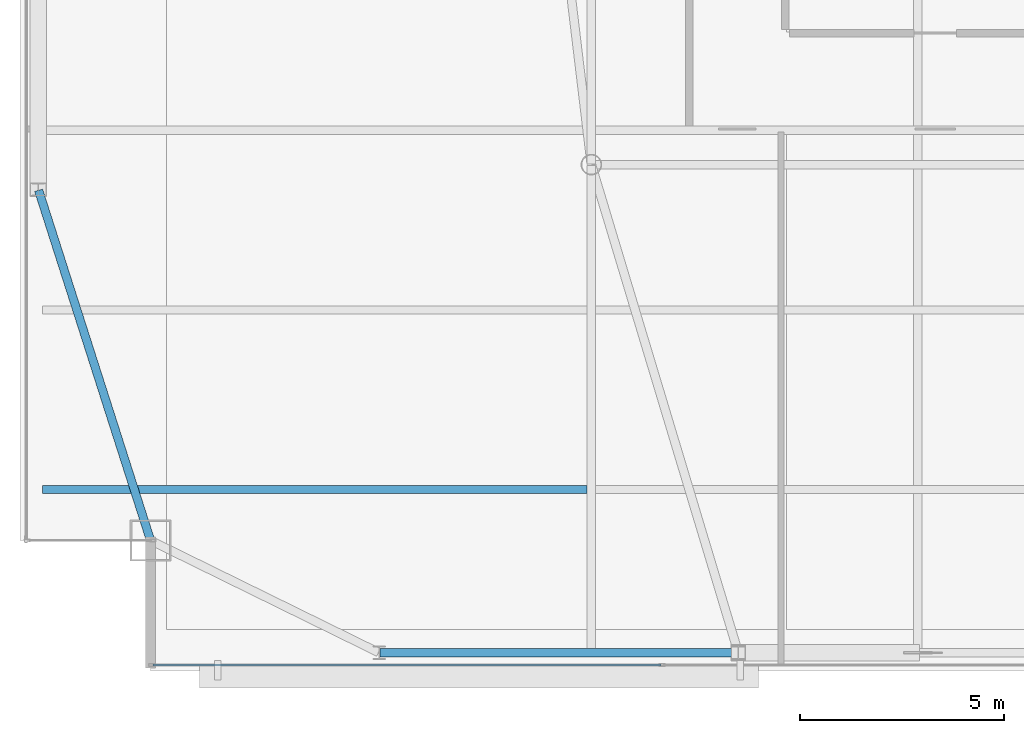
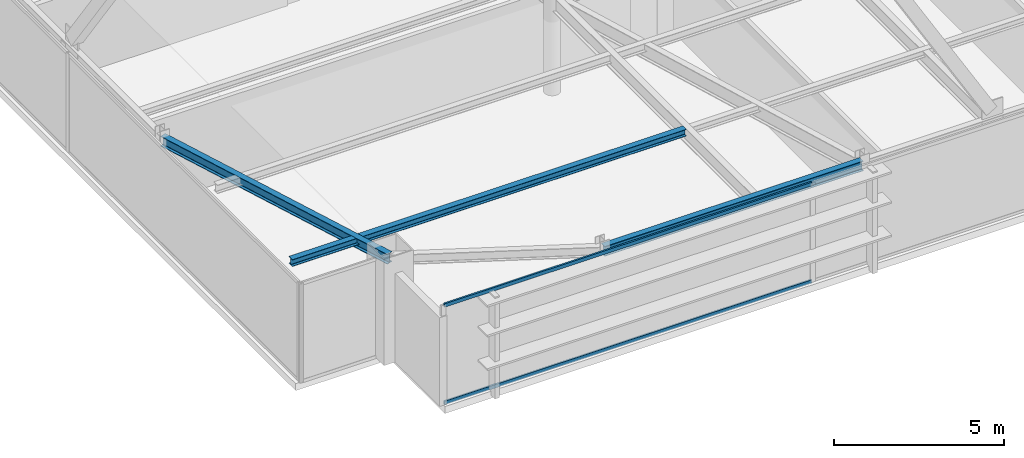
# One storey, part 5 of 24: 3 beams, 2 members, 1 element without a shape of its own.
"""IFC4 building model written with IfcOpenShell, lengths in metres."""

from ifc_helpers import new_model, si_unit, direction, frame, origin, origin_2d, place, context, subcontext, project, spatial, hollow_rectangle, i_section, extrude, source, transform, mapped, material, layer, layer_set, material_profile, profile_set, type_object, type_shapes, element, aggregate, save


model = new_model("IFC4")

# Units and contexts
model_context = context("Model", 3, precision=1e-05, world=origin(), true_north=direction((0.0, 1.0)))
body_context = subcontext(model_context, "Body", "Model", "MODEL_VIEW")
ifc_project = project(units=[si_unit("LENGTHUNIT", "METRE"), si_unit("AREAUNIT", "SQUARE_METRE"), si_unit("VOLUMEUNIT", "CUBIC_METRE"), si_unit("PLANEANGLEUNIT", "RADIAN"), si_unit("MASSUNIT", "GRAM", prefix="KILO")], contexts=[model_context])

# Site, building, storey
site_placement = place(None, origin())
site = spatial("IfcSite", under=ifc_project, at=site_placement, CompositionType="ELEMENT")
building_placement = place(site_placement, origin())
building = spatial("IfcBuilding", under=site, at=building_placement, Name="Varnel Quay Broadcast Tower", CompositionType="ELEMENT")
storey_placement = place(building_placement, frame((0.0, 0.0, 277.39990234375)))
storey = spatial("IfcBuildingStorey", under=building, at=storey_placement, Name="L69", CompositionType="ELEMENT", Elevation=277.39990234375)

# Beams
ifc_material_1 = material(Name="Structural Steel CSA G40.21 350W", Category="steel")
ifc_material_profile_1 = material_profile(ifc_material_1, i_section(OverallWidth=0.205078125, OverallDepth=0.35400390625, WebThickness=0.009521484375, FlangeThickness=0.016845703125, FilletRadius=0.012939453125, at=origin_2d()), Name="W360X79")
ifc_profile_set_1 = profile_set([ifc_material_profile_1], Name="Structural Steel CSA G40.21 350W")
beam_type_1 = type_object("IfcBeamType", Name="Beam_W360X79", PredefinedType="SPANDREL", material=ifc_profile_set_1)
shared_shape_1 = source(origin(), body_context, "Body", "SweptSolid", [
    extrude(i_section(OverallWidth=0.205078125, OverallDepth=0.35400390625, WebThickness=0.009521484375, FlangeThickness=0.016845703125, FilletRadius=0.012939453125, at=origin_2d()), origin(), (0.0, 0.0, 1.0), 8.760009765625),
])
beam_1_placement = place(storey_placement, frame((20.820068359375, 13.64990234375, 3.373046875), z_axis=(1.0, 0.0, 0.0), x_axis=(0.0, 1.0, 0.0)))
element("IfcBeam", 1, at=beam_1_placement, inside=storey, type_object=beam_type_1, Name="L69 South Spandrel TC-S1-TC-S2", PredefinedType="SPANDREL", context=body_context, shape_type="MappedRepresentation", body=[
    mapped(shared_shape_1, transform((0.0, 0.0, 0.0), x_axis=(1.0, 0.0, 0.0), y_axis=(0.0, 1.0, 0.0), z_axis=(0.0, 0.0, 1.0), scale=1.0)),
])
shared_shape_2 = source(origin(), body_context, "Body", "SweptSolid", [
    extrude(i_section(OverallWidth=0.205078125, OverallDepth=0.35400390625, WebThickness=0.009521484375, FlangeThickness=0.016845703125, FilletRadius=0.012939453125, at=origin_2d()), origin(), (0.0, 0.0, 1.0), 8.989013671875),
])
type_shapes(beam_type_1, [shared_shape_1, shared_shape_2])
beam_2_placement = place(storey_placement, frame((15.19384765625, 16.4189453125, 3.373046875), z_axis=(-0.304568770162, 0.952490348635, 0.0), x_axis=(-0.952490348635, -0.304568770162, 0.0)))
element("IfcBeam", 2, at=beam_2_placement, inside=storey, type_object=beam_type_1, Name="L69 West Spandrel MC-SW-TC-W1", PredefinedType="SPANDREL", context=body_context, shape_type="MappedRepresentation", body=[
    mapped(shared_shape_2, transform((0.0, 0.0, 0.0), x_axis=(1.0, 0.0, 0.0), y_axis=(0.0, 1.0, 0.0), z_axis=(0.0, 0.0, 1.0), scale=1.0)),
])
ifc_material_profile_2 = material_profile(ifc_material_1, i_section(OverallWidth=0.201904296875, OverallDepth=0.2470703125, WebThickness=0.00732421875, FlangeThickness=0.010986328125, FilletRadius=0.010986328125, at=origin_2d()), Name="W250X49")
ifc_profile_set_2 = profile_set([ifc_material_profile_2], Name="Structural Steel CSA G40.21 350W")
beam_type_2 = type_object("IfcBeamType", Name="Beam_W250X49", PredefinedType="JOIST", material=ifc_profile_set_2)
shared_shape_3 = source(origin(), body_context, "Body", "SweptSolid", [
    extrude(i_section(OverallWidth=0.201904296875, OverallDepth=0.2470703125, WebThickness=0.00732421875, FlangeThickness=0.010986328125, FilletRadius=0.010986328125, at=origin_2d()), origin(), (0.0, 0.0, 1.0), 13.351318359375),
])
type_shapes(beam_type_2, [shared_shape_3])
beam_3_placement = place(storey_placement, frame((12.547607421875, 17.64990234375, 3.426513671875), z_axis=(1.0, 0.0, 0.0), x_axis=(0.0, 1.0, 0.0)))
element("IfcBeam", 3, at=beam_3_placement, inside=storey, type_object=beam_type_2, Name="L69 West Floor Joist 1", PredefinedType="JOIST", context=body_context, shape_type="MappedRepresentation", body=[
    mapped(shared_shape_3, transform((0.0, 0.0, 0.0), x_axis=(1.0, 0.0, 0.0), y_axis=(0.0, 1.0, 0.0), z_axis=(0.0, 0.0, 1.0), scale=1.0)),
])

# Curtain wall, members
ifc_material_2 = material(Name="Anodised Bronze Aluminium 6063-T6", Category="aluminium")
ifc_layer = layer(ifc_material_2, 0.18994140625, Name="Anodised Bronze Aluminium 6063-T6")
ifc_layer_set = layer_set([ifc_layer], Name="Anodised Bronze Aluminium 6063-T6")
curtain_wall_type = type_object("IfcCurtainWallType", Name="CW_UpperTower", PredefinedType="NOTDEFINED", material=ifc_layer_set)
curtain_wall_placement = place(storey_placement, origin())
curtain_wall = element("IfcCurtainWall", 4, at=curtain_wall_placement, inside=storey, type_object=curtain_wall_type, Name="L69 South Unitised Curtain Wall 1", PredefinedType="NOTDEFINED")
ifc_material_profile_3 = material_profile(ifc_material_2, hollow_rectangle(XDim=0.06005859375, YDim=0.125, WallThickness=0.0029296875, at=origin_2d()), Name="ALU60X125X3")
ifc_profile_set_3 = profile_set([ifc_material_profile_3], Name="Anodised Bronze Aluminium 6063-T6")
member_type = type_object("IfcMemberType", Name="Tran_CWS-03", PredefinedType="USERDEFINED", material=ifc_profile_set_3)
shared_shape_4 = source(origin(), body_context, "Body", "SweptSolid", [
    extrude(hollow_rectangle(XDim=0.06005859375, YDim=0.125, WallThickness=0.0029296875, at=origin_2d()), origin(), (0.0, 0.0, 1.0), 12.43603515625),
])
type_shapes(member_type, [shared_shape_4])
member_1_placement = place(storey_placement, frame((15.264892578125, 13.35009765625, 0.030029296875), z_axis=(1.0, 0.0, 0.0), x_axis=(0.0, 1.0, 0.0)))
member_1 = element("IfcMember", 5, at=member_1_placement, type_object=member_type, Name="CWS-03 transom 1.1", ObjectType="TRANSOM", PredefinedType="USERDEFINED", context=body_context, shape_type="MappedRepresentation", body=[
    mapped(shared_shape_4, transform((0.0, 0.0, 0.0), x_axis=(1.0, 0.0, 0.0), y_axis=(0.0, 1.0, 0.0), z_axis=(0.0, 0.0, 1.0), scale=1.0)),
])
member_2_placement = place(storey_placement, frame((15.264892578125, 13.35009765625, 3.52001953125), z_axis=(1.0, 0.0, 0.0), x_axis=(0.0, 1.0, 0.0)))
member_2 = element("IfcMember", 6, at=member_2_placement, type_object=member_type, Name="CWS-03 transom 1.2", ObjectType="TRANSOM", PredefinedType="USERDEFINED", context=body_context, shape_type="MappedRepresentation", body=[
    mapped(shared_shape_4, transform((0.0, 0.0, 0.0), x_axis=(1.0, 0.0, 0.0), y_axis=(0.0, 1.0, 0.0), z_axis=(0.0, 0.0, 1.0), scale=1.0)),
])
aggregate(curtain_wall, [member_1, member_2])

save(model, "model.ifc")
